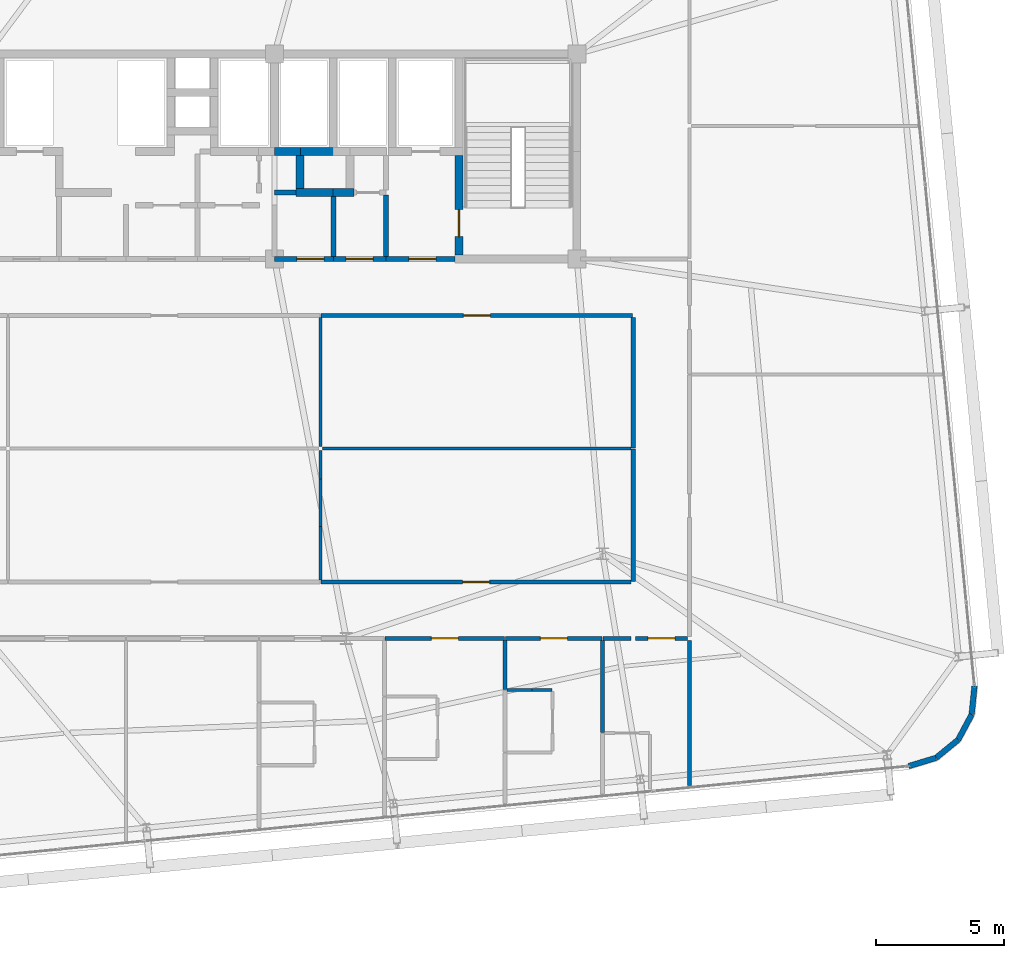
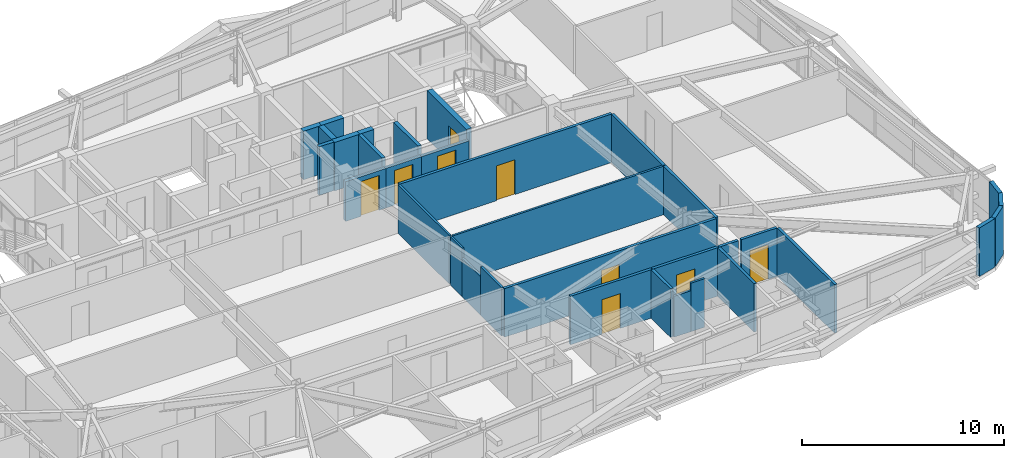
# One storey, part 49 of 54: 34 walls, 9 doors, 9 openings.
"""IFC4 building model written with IfcOpenShell, lengths in metres."""

from ifc_helpers import new_model, si_unit, direction, frame, frame_2d, origin, place, context, subcontext, project, spatial, rectangle, extrude, source, transform, mapped, material, layer, layer_set, type_object, element, fill, save


model = new_model("IFC4")

# Units and contexts
model_context = context("Model", 3, precision=1e-05, world=origin(), true_north=direction((0.0, 1.0)))
body_context = subcontext(model_context, "Body", "Model", "MODEL_VIEW")
ifc_project = project(units=[si_unit("LENGTHUNIT", "METRE"), si_unit("AREAUNIT", "SQUARE_METRE"), si_unit("VOLUMEUNIT", "CUBIC_METRE"), si_unit("PLANEANGLEUNIT", "RADIAN"), si_unit("MASSUNIT", "GRAM", prefix="KILO")], contexts=[model_context])

# Site, building, storey
site_placement = place(None, origin())
site = spatial("IfcSite", under=ifc_project, at=site_placement, CompositionType="ELEMENT")
building_placement = place(site_placement, origin())
building = spatial("IfcBuilding", under=site, at=building_placement, Name="Taldren Reach Tower", CompositionType="ELEMENT")
storey_placement = place(building_placement, frame((0.0, 0.0, 99.75)))
storey = spatial("IfcBuildingStorey", under=building, at=storey_placement, Name="L30", CompositionType="ELEMENT", Elevation=99.75)

# Walls
ifc_material_1 = material(Name="Pale Champagne Anodised Aluminium Cladding", Category="aluminium")
ifc_layer_1 = layer(ifc_material_1, 0.04, Name="Pale Champagne Anodised Aluminium Cladding", Category="aluminium")
ifc_material_2 = material(Name="Mineral Wool Acoustic Insulation", Category="insulation")
ifc_layer_2 = layer(ifc_material_2, 0.06, Name="Mineral Wool Acoustic Insulation", Category="insulation")
ifc_material_3 = material(Name="Steel Gr 350 (C350L0)", Category="steel")
ifc_layer_3 = layer(ifc_material_3, 0.12, Name="Steel Gr 350 (C350L0)", Category="steel")
ifc_layer_set_1 = layer_set([ifc_layer_1, ifc_layer_2, ifc_layer_3], Name="Pale Champagne Aluminium Cladding and Steel Gr 350 Stud Framing")
wall_type_1 = type_object("IfcWallType", Name="EW-CRN-220", PredefinedType="SOLIDWALL", material=ifc_layer_set_1)
shared_shape_1 = source(origin(), body_context, "Body", "SweptSolid", [
    extrude(rectangle(XDim=1.115966796875, YDim=0.219970703125, at=frame_2d((0.55810546875, 0.0))), origin(), (0.0, 0.0, 1.0), 2.929931640625),
])
for number, where, z_axis, x_axis, name in (
    (1, (65.01708984375, 4.537109375, 0.0), (0.0, 0.0, 1.0), (0.773342870285, 0.633988016432, 0.0), "Rounded-corner pale-metal facade wall L30-SE2"),
    (2, (66.406494140625, 6.228515625, 0.0), (0.0, 0.0, 1.0), (0.09844234778, 0.995142755671, 0.0), "Rounded-corner pale-metal facade wall L30-SE4"),
):
    element("IfcWall", number, at=place(storey_placement, frame(where, z_axis=z_axis, x_axis=x_axis)), inside=storey, type_object=wall_type_1, Name=name, PredefinedType="SOLIDWALL", context=body_context, shape_type="MappedRepresentation", body=[
        mapped(shared_shape_1, transform((0.0, 0.0, 0.0), scale=1.0)),
    ])
shared_shape_2 = source(origin(), body_context, "Body", "SweptSolid", [
    extrude(rectangle(XDim=1.11572265625, YDim=0.219970703125, at=frame_2d((0.557861328125, 0.0))), origin(), (0.0, 0.0, 1.0), 2.929931640625),
])
for number, where, z_axis, x_axis, name in (
    (3, (63.94921875, 4.213623046875, 0.0), (0.0, 0.0, 1.0), (0.957052003726, 0.289916301997, 0.0), "Rounded-corner pale-metal facade wall L30-SE1"),
    (4, (65.880126953125, 5.24462890625, 0.0), (0.0, 0.0, 1.0), (0.471723463201, 0.881746547635, 0.0), "Rounded-corner pale-metal facade wall L30-SE3"),
):
    element("IfcWall", number, at=place(storey_placement, frame(where, z_axis=z_axis, x_axis=x_axis)), inside=storey, type_object=wall_type_1, Name=name, PredefinedType="SOLIDWALL", context=body_context, shape_type="MappedRepresentation", body=[
        mapped(shared_shape_2, transform((0.0, 0.0, 0.0), scale=1.0)),
    ])

# Wall, opening, door
ifc_material_4 = material(Name="Fire-Rated Acoustic Plasterboard Stud Wall", Category="gypsum")
ifc_layer_4 = layer(ifc_material_4, 0.159912109375)
ifc_layer_set_2 = layer_set([ifc_layer_4], Name="Fire-Rated Acoustic Plasterboard Stud Wall")
wall_type_2 = type_object("IfcWallType", Name="IW-FIRE-160", PredefinedType="PARTITIONING", material=ifc_layer_set_2)
shared_shape_3 = source(origin(), body_context, "Body", "SweptSolid", [
    extrude(rectangle(XDim=2.0400390625, YDim=0.159912109375, at=frame_2d((1.02001953125, 0.0))), origin(), (0.0, 0.0, 1.0), 2.929931640625),
])
wall_1_placement = place(storey_placement, frame((55.320068359375, 9.199951171875, 0.0), z_axis=(0.0, 0.0, 1.0), x_axis=(-1.0, 0.0, 0.0)))
wall_1 = element("IfcWall", 5, at=wall_1_placement, inside=storey, type_object=wall_type_2, Name="Interior Partition Wall W-INT-L30-068", PredefinedType="PARTITIONING", context=body_context, shape_type="MappedRepresentation", body=[
    mapped(shared_shape_3, transform((0.0, 0.0, 0.0), scale=1.0)),
])
shared_shape_4 = source(origin(), body_context, "Body", "SweptSolid", [
    extrude(rectangle(XDim=1.050048828125, YDim=2.10009765625, at=frame_2d((0.52490234375, 1.050048828125))), frame((0.0, 0.08984375, 0.0), z_axis=(0.0, -1.0, 0.0), x_axis=(1.0, 0.0, 0.0)), (0.0, 0.0, 1.0), 0.179931640625),
])
opening_1_placement = place(wall_1_placement, frame((0.4951171875, 0.0, 0.0)))
opening_1 = element("IfcOpeningElement", 6, at=opening_1_placement, cuts=wall_1, Name="Opening DF-105", PredefinedType="OPENING", context=body_context, shape_type="MappedRepresentation", body=[
    mapped(shared_shape_4, transform((0.0, 0.0, 0.0), scale=1.0)),
])
ifc_material_5 = material(Name="Fire-Rated Care and Stair Exit Door")
door_type = type_object("IfcDoorType", Name="ID-FIRE-105", OperationType="NOTDEFINED", PredefinedType="DOOR", material=ifc_material_5)
shared_shape_5 = source(origin(), body_context, "Body", "SweptSolid", [
    extrude(rectangle(XDim=1.050048828125, YDim=2.10009765625, at=frame_2d((0.52490234375, 1.050048828125))), frame((0.0, 0.02490234375, 0.0), z_axis=(0.0, -1.0, 0.0), x_axis=(1.0, 0.0, 0.0)), (0.0, 0.0, 1.0), 0.050048828125),
])
door_1_placement = place(opening_1_placement, origin())
door_1 = element("IfcDoor", 7, at=door_1_placement, inside=storey, type_object=door_type, Name="Interior Door DR-L30-018", OperationType="SINGLE_SWING_LEFT", OverallHeight=2.10009765625, OverallWidth=1.050048828125, PredefinedType="DOOR", context=body_context, shape_type="MappedRepresentation", body=[
    mapped(shared_shape_5, transform((0.0, 0.0, 0.0), scale=1.0)),
])
fill(opening_1, door_1)

# Walls
shared_shape_6 = source(origin(), body_context, "Body", "SweptSolid", [
    extrude(rectangle(XDim=5.15966796875, YDim=0.159912109375, at=frame_2d((2.579833984375, 0.0))), origin(), (0.0, 0.0, 1.0), 2.929931640625),
])
wall_2_placement = place(storey_placement, frame((53.199951171875, 11.420166015625, 0.0), z_axis=(0.0, 0.0, 1.0), x_axis=(0.0, 1.0, 0.0)))
element("IfcWall", 8, at=wall_2_placement, inside=storey, type_object=wall_type_2, Name="Interior Partition Wall W-INT-L30-064", PredefinedType="PARTITIONING", context=body_context, shape_type="MappedRepresentation", body=[
    mapped(shared_shape_6, transform((0.0, 0.0, 0.0), scale=1.0)),
])
shared_shape_7 = source(origin(), body_context, "Body", "SweptSolid", [
    extrude(rectangle(XDim=5.099853515625, YDim=0.159912109375, at=frame_2d((2.5498046875, 0.0))), origin(), (0.0, 0.0, 1.0), 2.929931640625),
])
wall_3_placement = place(storey_placement, frame((53.199951171875, 16.6201171875, 0.0), z_axis=(0.0, 0.0, 1.0), x_axis=(0.0, 1.0, 0.0)))
element("IfcWall", 9, at=wall_3_placement, inside=storey, type_object=wall_type_2, Name="Interior Partition Wall W-INT-L30-066", PredefinedType="PARTITIONING", context=body_context, shape_type="MappedRepresentation", body=[
    mapped(shared_shape_7, transform((0.0, 0.0, 0.0), scale=1.0)),
])
shared_shape_8 = source(origin(), body_context, "Body", "SweptSolid", [
    extrude(rectangle(XDim=1.099853515625, YDim=0.159912109375, at=frame_2d((0.5498046875, 0.0))), origin(), (0.0, 0.0, 1.0), 2.929931640625),
])
wall_4_placement = place(storey_placement, frame((53.1201171875, 9.199951171875, 0.0), z_axis=(0.0, 0.0, 1.0), x_axis=(-1.0, 0.0, 0.0)))
element("IfcWall", 10, at=wall_4_placement, inside=storey, type_object=wall_type_2, Name="Interior Partition Wall W-INT-L30-089", PredefinedType="PARTITIONING", context=body_context, shape_type="MappedRepresentation", body=[
    mapped(shared_shape_8, transform((0.0, 0.0, 0.0), scale=1.0)),
])
ifc_material_6 = material(Name="Insulated Residential Stud Partition", Category="gypsum")
ifc_layer_5 = layer(ifc_material_6, 0.1201171875)
ifc_layer_set_3 = layer_set([ifc_layer_5], Name="Insulated Residential Stud Partition")
wall_type_3 = type_object("IfcWallType", Name="IW-PART-120", PredefinedType="PARTITIONING", material=ifc_layer_set_3)
shared_shape_9 = source(origin(), body_context, "Body", "SweptSolid", [
    extrude(rectangle(XDim=5.0400390625, YDim=0.1201171875, at=frame_2d((2.52001953125, 0.0))), origin(), (0.0, 0.0, 1.0), 2.929931640625),
])
wall_5_placement = place(storey_placement, frame((41.0, 21.719970703125, 0.0), z_axis=(0.0, 0.0, 1.0), x_axis=(0.0, -1.0, 0.0)))
element("IfcWall", 11, at=wall_5_placement, inside=storey, type_object=wall_type_3, Name="Interior Partition Wall W-INT-L30-095", PredefinedType="PARTITIONING", context=body_context, shape_type="MappedRepresentation", body=[
    mapped(shared_shape_9, transform((0.0, 0.0, 0.0), scale=1.0)),
])
ifc_material_7 = material(Name="Concrete S50 (50 MPa)", Category="concrete")
ifc_layer_6 = layer(ifc_material_7, 0.199951171875)
ifc_layer_set_4 = layer_set([ifc_layer_6], Name="Concrete S50 (50 MPa)")
wall_type_4 = type_object("IfcWallType", Name="IW-CORE-200", PredefinedType="SOLIDWALL", material=ifc_layer_set_4)
shared_shape_10 = source(origin(), body_context, "Body", "SweptSolid", [
    extrude(rectangle(XDim=2.39990234375, YDim=0.199951171875, at=frame_2d((1.199951171875, 0.0))), origin(), (0.0, 0.0, 1.0), 2.929931640625),
])
wall_6_placement = place(storey_placement, frame((43.550048828125, 26.5, 0.0), z_axis=(0.0, 0.0, 1.0), x_axis=(0.0, -1.0, 0.0)))
element("IfcWall", 12, at=wall_6_placement, inside=storey, type_object=wall_type_4, Name="Rear Core Shear Wall W-INT-L30-013", PredefinedType="SOLIDWALL", context=body_context, shape_type="MappedRepresentation", body=[
    mapped(shared_shape_10, transform((0.0, 0.0, 0.0), scale=1.0)),
])

# Wall, opening, door
shared_shape_11 = source(origin(), body_context, "Body", "SweptSolid", [
    extrude(rectangle(XDim=2.300048828125, YDim=0.199951171875, at=frame_2d((1.14990234375, 0.0))), origin(), (0.0, 0.0, 1.0), 2.39697265625),
])
wall_7_placement = place(storey_placement, frame((41.5, 24.0, 0.0), z_axis=(0.0, 0.0, 1.0), x_axis=(-1.0, 0.0, 0.0)))
wall_7 = element("IfcWall", 13, at=wall_7_placement, inside=storey, type_object=wall_type_4, Name="Rear Core Shear Wall W-INT-L30-057", PredefinedType="SOLIDWALL", context=body_context, shape_type="MappedRepresentation", body=[
    mapped(shared_shape_11, transform((0.0, 0.0, 0.0), scale=1.0)),
])
shared_shape_12 = source(origin(), body_context, "Body", "SweptSolid", [
    extrude(rectangle(XDim=1.050048828125, YDim=2.10009765625, at=frame_2d((0.52490234375, 1.050048828125))), frame((0.0, 0.10986328125, 0.0), z_axis=(0.0, -1.0, 0.0), x_axis=(1.0, 0.0, 0.0)), (0.0, 0.0, 1.0), 0.219970703125),
])
opening_2_placement = place(wall_7_placement, frame((0.375, 0.0, 0.0)))
opening_2 = element("IfcOpeningElement", 14, at=opening_2_placement, cuts=wall_7, Name="Opening DF-105", PredefinedType="OPENING", context=body_context, shape_type="MappedRepresentation", body=[
    mapped(shared_shape_12, transform((0.0, 0.0, 0.0), scale=1.0)),
])
door_2_placement = place(opening_2_placement, frame((1.050048828125, 0.0, 0.0), z_axis=(0.0, 0.0, 1.0), x_axis=(-1.0, 0.0, 0.0)))
door_2 = element("IfcDoor", 15, at=door_2_placement, inside=storey, type_object=door_type, Name="Interior Door DR-L30-011", OperationType="SINGLE_SWING_RIGHT", OverallHeight=2.10009765625, OverallWidth=1.050048828125, PredefinedType="DOOR", context=body_context, shape_type="MappedRepresentation", body=[
    mapped(shared_shape_5, transform((0.0, 0.0, 0.0), scale=1.0)),
])
fill(opening_2, door_2)

shared_shape_13 = source(origin(), body_context, "Body", "SweptSolid", [
    extrude(rectangle(XDim=2.050048828125, YDim=0.199951171875, at=frame_2d((1.02490234375, 0.0))), origin(), (0.0, 0.0, 1.0), 2.39697265625),
])
wall_8_placement = place(storey_placement, frame((43.550048828125, 24.0, 0.0), z_axis=(0.0, 0.0, 1.0), x_axis=(-1.0, 0.0, 0.0)))
wall_8 = element("IfcWall", 16, at=wall_8_placement, inside=storey, type_object=wall_type_4, Name="Rear Core Shear Wall W-INT-L30-059", PredefinedType="SOLIDWALL", context=body_context, shape_type="MappedRepresentation", body=[
    mapped(shared_shape_13, transform((0.0, 0.0, 0.0), scale=1.0)),
])
opening_3_placement = place(wall_8_placement, frame((0.5, 0.0, 0.0)))
opening_3 = element("IfcOpeningElement", 17, at=opening_3_placement, cuts=wall_8, Name="Opening DF-105", PredefinedType="OPENING", context=body_context, shape_type="MappedRepresentation", body=[
    mapped(shared_shape_12, transform((0.0, 0.0, 0.0), scale=1.0)),
])
door_3_placement = place(opening_3_placement, frame((1.050048828125, 0.0, 0.0), z_axis=(0.0, 0.0, 1.0), x_axis=(-1.0, 0.0, 0.0)))
door_3 = element("IfcDoor", 18, at=door_3_placement, inside=storey, type_object=door_type, Name="Interior Door DR-L30-013", OperationType="SINGLE_SWING_LEFT", OverallHeight=2.10009765625, OverallWidth=1.050048828125, PredefinedType="DOOR", context=body_context, shape_type="MappedRepresentation", body=[
    mapped(shared_shape_5, transform((0.0, 0.0, 0.0), scale=1.0)),
])
fill(opening_3, door_3)

shared_shape_14 = source(origin(), body_context, "Body", "SweptSolid", [
    extrude(rectangle(XDim=12.159423828125, YDim=0.159912109375, at=frame_2d((6.07958984375, 0.0))), origin(), (0.0, 0.0, 1.0), 2.929931640625),
])
wall_9_placement = place(storey_placement, frame((53.1796875, 21.800048828125, 0.0), z_axis=(0.0, 0.0, 1.0), x_axis=(-1.0, 0.0, 0.0)))
wall_9 = element("IfcWall", 19, at=wall_9_placement, inside=storey, type_object=wall_type_2, Name="Interior Partition Wall W-INT-L30-065", PredefinedType="PARTITIONING", context=body_context, shape_type="MappedRepresentation", body=[
    mapped(shared_shape_14, transform((0.0, 0.0, 0.0), scale=1.0)),
])
opening_4_placement = place(wall_9_placement, frame((5.5546875, 0.0, 0.0)))
opening_4 = element("IfcOpeningElement", 20, at=opening_4_placement, cuts=wall_9, Name="Opening DF-105", PredefinedType="OPENING", context=body_context, shape_type="MappedRepresentation", body=[
    mapped(shared_shape_4, transform((0.0, 0.0, 0.0), scale=1.0)),
])
door_4_placement = place(opening_4_placement, origin())
door_4 = element("IfcDoor", 21, at=door_4_placement, inside=storey, type_object=door_type, Name="Interior Door DR-L30-016", OperationType="SINGLE_SWING_LEFT", OverallHeight=2.10009765625, OverallWidth=1.050048828125, PredefinedType="DOOR", context=body_context, shape_type="MappedRepresentation", body=[
    mapped(shared_shape_5, transform((0.0, 0.0, 0.0), scale=1.0)),
])
fill(opening_4, door_4)

shared_shape_15 = source(origin(), body_context, "Body", "SweptSolid", [
    extrude(rectangle(XDim=12.099853515625, YDim=0.159912109375, at=frame_2d((6.0498046875, 0.0))), origin(), (0.0, 0.0, 1.0), 2.929931640625),
])
wall_10_placement = place(storey_placement, frame((41.020263671875, 11.39990234375, 0.0), z_axis=(0.0, 0.0, 1.0), x_axis=(1.0, 0.0, 0.0)))
wall_10 = element("IfcWall", 22, at=wall_10_placement, inside=storey, type_object=wall_type_2, Name="Interior Partition Wall W-INT-L30-080", PredefinedType="PARTITIONING", context=body_context, shape_type="MappedRepresentation", body=[
    mapped(shared_shape_15, transform((0.0, 0.0, 0.0), scale=1.0)),
])
opening_5_placement = place(wall_10_placement, frame((5.52490234375, 0.0, 0.0)))
opening_5 = element("IfcOpeningElement", 23, at=opening_5_placement, cuts=wall_10, Name="Opening DF-105", PredefinedType="OPENING", context=body_context, shape_type="MappedRepresentation", body=[
    mapped(shared_shape_4, transform((0.0, 0.0, 0.0), scale=1.0)),
])
door_5_placement = place(opening_5_placement, origin())
door_5 = element("IfcDoor", 24, at=door_5_placement, inside=storey, type_object=door_type, Name="Interior Door DR-L30-027", OperationType="SINGLE_SWING_RIGHT", OverallHeight=2.10009765625, OverallWidth=1.050048828125, PredefinedType="DOOR", context=body_context, shape_type="MappedRepresentation", body=[
    mapped(shared_shape_5, transform((0.0, 0.0, 0.0), scale=1.0)),
])
fill(opening_5, door_5)

# Walls
shared_shape_16 = source(origin(), body_context, "Body", "SweptSolid", [
    extrude(rectangle(XDim=1.10400390625, YDim=0.1201171875, at=frame_2d((0.552001953125, 0.0))), origin(), (0.0, 0.0, 1.0), 2.929931640625),
])
wall_11_placement = place(storey_placement, frame((41.0, 16.52001953125, 0.0), z_axis=(0.0, 0.0, 1.0), x_axis=(0.0, -1.0, 0.0)))
element("IfcWall", 25, at=wall_11_placement, inside=storey, type_object=wall_type_3, Name="Interior Partition Wall W-INT-L30-094", PredefinedType="PARTITIONING", context=body_context, shape_type="MappedRepresentation", body=[
    mapped(shared_shape_16, transform((0.0, 0.0, 0.0), scale=1.0)),
])
shared_shape_17 = source(origin(), body_context, "Body", "SweptSolid", [
    extrude(rectangle(XDim=1.860595703125, YDim=0.1201171875, at=frame_2d((0.93017578125, 0.0))), origin(), (0.0, 0.0, 1.0), 2.327880859375),
])
wall_12_placement = place(storey_placement, frame((41.0, 15.416015625, 0.0), z_axis=(0.0, 0.0, 1.0), x_axis=(0.0, -1.0, 0.0)))
element("IfcWall", 26, at=wall_12_placement, inside=storey, type_object=wall_type_3, Name="Interior Partition Wall W-INT-L30-094 part 2", PredefinedType="PARTITIONING", context=body_context, shape_type="MappedRepresentation", body=[
    mapped(shared_shape_17, transform((0.0, 0.0, 0.0), scale=1.0)),
])
shared_shape_18 = source(origin(), body_context, "Body", "SweptSolid", [
    extrude(rectangle(XDim=2.075439453125, YDim=0.1201171875, at=frame_2d((1.03759765625, 0.0))), origin(), (0.0, 0.0, 1.0), 2.929931640625),
])
wall_13_placement = place(storey_placement, frame((41.0, 13.555419921875, 0.0), z_axis=(0.0, 0.0, 1.0), x_axis=(0.0, -1.0, 0.0)))
element("IfcWall", 27, at=wall_13_placement, inside=storey, type_object=wall_type_3, Name="Interior Partition Wall W-INT-L30-094 part 3", PredefinedType="PARTITIONING", context=body_context, shape_type="MappedRepresentation", body=[
    mapped(shared_shape_18, transform((0.0, 0.0, 0.0), scale=1.0)),
])
shared_shape_19 = source(origin(), body_context, "Body", "SweptSolid", [
    extrude(rectangle(XDim=12.0400390625, YDim=0.1201171875, at=frame_2d((6.02001953125, 0.0))), origin(), (0.0, 0.0, 1.0), 2.929931640625),
])
wall_14_placement = place(storey_placement, frame((41.080078125, 16.60009765625, 0.0), z_axis=(0.0, 0.0, 1.0), x_axis=(1.0, 0.0, 0.0)))
element("IfcWall", 28, at=wall_14_placement, inside=storey, type_object=wall_type_3, Name="Interior Partition Wall W-INT-L30-096", PredefinedType="PARTITIONING", context=body_context, shape_type="MappedRepresentation", body=[
    mapped(shared_shape_19, transform((0.0, 0.0, 0.0), scale=1.0)),
])

# Wall, opening, door
shared_shape_20 = source(origin(), body_context, "Body", "SweptSolid", [
    extrude(rectangle(XDim=3.759521484375, YDim=0.159912109375, at=frame_2d((1.8798828125, 0.0))), origin(), (0.0, 0.0, 1.0), 2.929931640625),
])
wall_15_placement = place(storey_placement, frame((51.979736328125, 9.199951171875, 0.0), z_axis=(0.0, 0.0, 1.0), x_axis=(-1.0, 0.0, 0.0)))
wall_15 = element("IfcWall", 29, at=wall_15_placement, inside=storey, type_object=wall_type_2, Name="Interior Partition Wall W-INT-L30-088", PredefinedType="PARTITIONING", context=body_context, shape_type="MappedRepresentation", body=[
    mapped(shared_shape_20, transform((0.0, 0.0, 0.0), scale=1.0)),
])
opening_6_placement = place(wall_15_placement, frame((1.354736328125, 0.0, 0.0)))
opening_6 = element("IfcOpeningElement", 30, at=opening_6_placement, cuts=wall_15, Name="Opening DF-105", PredefinedType="OPENING", context=body_context, shape_type="MappedRepresentation", body=[
    mapped(shared_shape_4, transform((0.0, 0.0, 0.0), scale=1.0)),
])
door_6_placement = place(opening_6_placement, origin())
door_6 = element("IfcDoor", 31, at=door_6_placement, inside=storey, type_object=door_type, Name="Interior Door DR-L30-034", OperationType="SINGLE_SWING_LEFT", OverallHeight=2.10009765625, OverallWidth=1.050048828125, PredefinedType="DOOR", context=body_context, shape_type="MappedRepresentation", body=[
    mapped(shared_shape_5, transform((0.0, 0.0, 0.0), scale=1.0)),
])
fill(opening_6, door_6)

ifc_material_8 = material(Name="Concrete S65 (65 MPa)", Category="concrete")
ifc_layer_7 = layer(ifc_material_8, 0.300048828125)
ifc_layer_set_5 = layer_set([ifc_layer_7], Name="Concrete S65 (65 MPa)")
wall_type_5 = type_object("IfcWallType", Name="IW-CORE-300", PredefinedType="SHEAR", material=ifc_layer_set_5)
shared_shape_21 = source(origin(), body_context, "Body", "SweptSolid", [
    extrude(rectangle(XDim=3.900146484375, YDim=0.300048828125, at=frame_2d((1.9501953125, 0.0))), origin(), (0.0, 0.0, 1.0), 2.929931640625),
])
wall_16_placement = place(storey_placement, frame((46.39990234375, 28.050048828125, 0.0), z_axis=(0.0, 0.0, 1.0), x_axis=(0.0, -1.0, 0.0)))
wall_16 = element("IfcWall", 32, at=wall_16_placement, inside=storey, type_object=wall_type_5, Name="Rear Core Shear Wall W-INT-L30-009", PredefinedType="SHEAR", context=body_context, shape_type="MappedRepresentation", body=[
    mapped(shared_shape_21, transform((0.0, 0.0, 0.0), scale=1.0)),
])
shared_shape_22 = source(origin(), body_context, "Body", "SweptSolid", [
    extrude(rectangle(XDim=1.050048828125, YDim=2.10009765625, at=frame_2d((0.52490234375, 1.050048828125))), frame((0.0, 0.16015625, 0.0), z_axis=(0.0, -1.0, 0.0), x_axis=(1.0, 0.0, 0.0)), (0.0, 0.0, 1.0), 0.320068359375),
])
opening_7_placement = place(wall_16_placement, frame((2.125, 0.0, 0.0)))
opening_7 = element("IfcOpeningElement", 33, at=opening_7_placement, cuts=wall_16, Name="Opening DF-105", PredefinedType="OPENING", context=body_context, shape_type="MappedRepresentation", body=[
    mapped(shared_shape_22, transform((0.0, 0.0, 0.0), scale=1.0)),
])
door_7_placement = place(opening_7_placement, origin())
door_7 = element("IfcDoor", 34, at=door_7_placement, inside=storey, type_object=door_type, Name="Fire Exit Stair Door DR-L30-003", OperationType="SINGLE_SWING_RIGHT", OverallHeight=2.10009765625, OverallWidth=1.050048828125, PredefinedType="DOOR", context=body_context, shape_type="MappedRepresentation", body=[
    mapped(shared_shape_5, transform((0.0, 0.0, 0.0), scale=1.0)),
])
fill(opening_7, door_7)

shared_shape_23 = source(origin(), body_context, "Body", "SweptSolid", [
    extrude(rectangle(XDim=2.699951171875, YDim=0.199951171875, at=frame_2d((1.35009765625, 0.0))), origin(), (0.0, 0.0, 1.0), 2.39697265625),
])
wall_17_placement = place(storey_placement, frame((43.550048828125, 24.0, 0.0), z_axis=(0.0, 0.0, 1.0), x_axis=(1.0, 0.0, 0.0)))
wall_17 = element("IfcWall", 35, at=wall_17_placement, inside=storey, type_object=wall_type_4, Name="Rear Core Shear Wall W-INT-L30-015", PredefinedType="SOLIDWALL", context=body_context, shape_type="MappedRepresentation", body=[
    mapped(shared_shape_23, transform((0.0, 0.0, 0.0), scale=1.0)),
])
opening_8_placement = place(wall_17_placement, frame((0.89990234375, 0.0, 0.0)))
opening_8 = element("IfcOpeningElement", 36, at=opening_8_placement, cuts=wall_17, Name="Opening DF-105", PredefinedType="OPENING", context=body_context, shape_type="MappedRepresentation", body=[
    mapped(shared_shape_12, transform((0.0, 0.0, 0.0), scale=1.0)),
])
door_8_placement = place(opening_8_placement, origin())
door_8 = element("IfcDoor", 37, at=door_8_placement, inside=storey, type_object=door_type, Name="Interior Door DR-L30-004", OperationType="SINGLE_SWING_LEFT", OverallHeight=2.10009765625, OverallWidth=1.050048828125, PredefinedType="DOOR", context=body_context, shape_type="MappedRepresentation", body=[
    mapped(shared_shape_5, transform((0.0, 0.0, 0.0), scale=1.0)),
])
fill(opening_8, door_8)

# Walls
shared_shape_24 = source(origin(), body_context, "Body", "SweptSolid", [
    extrude(rectangle(XDim=1.300048828125, YDim=0.300048828125, at=frame_2d((0.64990234375, 0.0))), origin(), (0.0, 0.0, 1.0), 2.929931640625),
])
wall_18_placement = place(storey_placement, frame((40.199951171875, 28.050048828125, 0.0), z_axis=(0.0, 0.0, 1.0), x_axis=(0.0, -1.0, 0.0)))
element("IfcWall", 38, at=wall_18_placement, inside=storey, type_object=wall_type_5, Name="Rear Core Shear Wall W-INT-L30-027", PredefinedType="SHEAR", context=body_context, shape_type="MappedRepresentation", body=[
    mapped(shared_shape_24, transform((0.0, 0.0, 0.0), scale=1.0)),
])
shared_shape_25 = source(origin(), body_context, "Body", "SweptSolid", [
    extrude(rectangle(XDim=1.320068359375, YDim=0.300048828125, at=frame_2d((0.66015625, 0.0))), origin(), (0.0, 0.0, 1.0), 2.929931640625),
])
wall_19_placement = place(storey_placement, frame((41.52001953125, 28.199951171875, 0.0), z_axis=(0.0, 0.0, 1.0), x_axis=(-1.0, 0.0, 0.0)))
element("IfcWall", 39, at=wall_19_placement, inside=storey, type_object=wall_type_5, Name="Rear Core Shear Wall W-INT-L30-024", PredefinedType="SHEAR", context=body_context, shape_type="MappedRepresentation", body=[
    mapped(shared_shape_25, transform((0.0, 0.0, 0.0), scale=1.0)),
])
shared_shape_26 = source(origin(), body_context, "Body", "SweptSolid", [
    extrude(rectangle(XDim=1.469970703125, YDim=0.300048828125, at=frame_2d((0.73486328125, 0.0))), origin(), (0.0, 0.0, 1.0), 2.929931640625),
])
wall_20_placement = place(storey_placement, frame((40.050048828125, 26.60009765625, 0.0), z_axis=(0.0, 0.0, 1.0), x_axis=(1.0, 0.0, 0.0)))
element("IfcWall", 40, at=wall_20_placement, inside=storey, type_object=wall_type_5, Name="Rear Core Shear Wall W-INT-L30-026", PredefinedType="SHEAR", context=body_context, shape_type="MappedRepresentation", body=[
    mapped(shared_shape_26, transform((0.0, 0.0, 0.0), scale=1.0)),
])
shared_shape_27 = source(origin(), body_context, "Body", "SweptSolid", [
    extrude(rectangle(XDim=0.820068359375, YDim=0.300048828125, at=frame_2d((0.41015625, 0.0))), origin(), (0.0, 0.0, 1.0), 2.929931640625),
])
wall_21_placement = place(storey_placement, frame((41.47998046875, 26.60009765625, 0.0), z_axis=(0.0, 0.0, 1.0), x_axis=(1.0, 0.0, 0.0)))
element("IfcWall", 41, at=wall_21_placement, inside=storey, type_object=wall_type_5, Name="Rear Core Shear Wall W-INT-L30-028", PredefinedType="SHEAR", context=body_context, shape_type="MappedRepresentation", body=[
    mapped(shared_shape_27, transform((0.0, 0.0, 0.0), scale=1.0)),
])
shared_shape_28 = source(origin(), body_context, "Body", "SweptSolid", [
    extrude(rectangle(XDim=2.349853515625, YDim=0.199951171875, at=frame_2d((1.1748046875, 0.0))), origin(), (0.0, 0.0, 1.0), 2.929931640625),
])
wall_22_placement = place(storey_placement, frame((41.5, 26.449951171875, 0.0), z_axis=(0.0, 0.0, 1.0), x_axis=(0.0, -1.0, 0.0)))
element("IfcWall", 42, at=wall_22_placement, inside=storey, type_object=wall_type_4, Name="Rear Core Shear Wall W-INT-L30-056", PredefinedType="SOLIDWALL", context=body_context, shape_type="MappedRepresentation", body=[
    mapped(shared_shape_28, transform((0.0, 0.0, 0.0), scale=1.0)),
])
shared_shape_29 = source(origin(), body_context, "Body", "SweptSolid", [
    extrude(rectangle(XDim=1.02001953125, YDim=0.300048828125, at=frame_2d((0.510009765625, 0.0))), origin(), (0.0, 0.0, 1.0), 2.929931640625),
])
wall_23_placement = place(storey_placement, frame((39.199951171875, 28.199951171875, 0.0), z_axis=(0.0, 0.0, 1.0), x_axis=(1.0, 0.0, 0.0)))
element("IfcWall", 43, at=wall_23_placement, inside=storey, type_object=wall_type_5, Name="Rear Core Shear Wall W-INT-L30-042", PredefinedType="SHEAR", context=body_context, shape_type="MappedRepresentation", body=[
    mapped(shared_shape_29, transform((0.0, 0.0, 0.0), scale=1.0)),
])
shared_shape_30 = source(origin(), body_context, "Body", "SweptSolid", [
    extrude(rectangle(XDim=0.85009765625, YDim=0.199951171875, at=frame_2d((0.425048828125, 0.0))), origin(), (0.0, 0.0, 1.0), 2.929931640625),
])
wall_24_placement = place(storey_placement, frame((39.199951171875, 26.60009765625, 0.0), z_axis=(0.0, 0.0, 1.0), x_axis=(1.0, 0.0, 0.0)))
element("IfcWall", 44, at=wall_24_placement, inside=storey, type_object=wall_type_4, Name="Rear Core Shear Wall W-INT-L30-055", PredefinedType="SOLIDWALL", context=body_context, shape_type="MappedRepresentation", body=[
    mapped(shared_shape_30, transform((0.0, 0.0, 0.0), scale=1.0)),
])
shared_shape_31 = source(origin(), body_context, "Body", "SweptSolid", [
    extrude(rectangle(XDim=3.58740234375, YDim=0.159912109375, at=frame_2d((1.793701171875, 0.0))), origin(), (0.0, 0.0, 1.0), 2.929931640625),
])
wall_25_placement = place(storey_placement, frame((52.0, 9.117919921875, 0.0), z_axis=(0.0, 0.0, 1.0), x_axis=(0.0, -1.0, 0.0)))
element("IfcWall", 45, at=wall_25_placement, inside=storey, type_object=wall_type_2, Name="Interior Partition Wall W-INT-L30-125", PredefinedType="PARTITIONING", context=body_context, shape_type="MappedRepresentation", body=[
    mapped(shared_shape_31, transform((0.0, 0.0, 0.0), scale=1.0)),
])
shared_shape_32 = source(origin(), body_context, "Body", "SweptSolid", [
    extrude(rectangle(XDim=5.657958984375, YDim=0.159912109375, at=frame_2d((2.8291015625, 0.0))), origin(), (0.0, 0.0, 1.0), 2.929931640625),
])
wall_26_placement = place(storey_placement, frame((55.39990234375, 9.117919921875, 0.0), z_axis=(0.0, 0.0, 1.0), x_axis=(0.0, -1.0, 0.0)))
element("IfcWall", 46, at=wall_26_placement, inside=storey, type_object=wall_type_2, Name="Interior Partition Wall W-INT-L30-129", PredefinedType="PARTITIONING", context=body_context, shape_type="MappedRepresentation", body=[
    mapped(shared_shape_32, transform((0.0, 0.0, 0.0), scale=1.0)),
])

# Wall, opening, door
shared_shape_33 = source(origin(), body_context, "Body", "SweptSolid", [
    extrude(rectangle(XDim=4.659423828125, YDim=0.159912109375, at=frame_2d((2.32958984375, 0.0))), origin(), (0.0, 0.0, 1.0), 2.929931640625),
])
wall_27_placement = place(storey_placement, frame((48.1796875, 9.199951171875, 0.0), z_axis=(0.0, 0.0, 1.0), x_axis=(-1.0, 0.0, 0.0)))
wall_27 = element("IfcWall", 47, at=wall_27_placement, inside=storey, type_object=wall_type_2, Name="Interior Partition Wall W-INT-L30-087", PredefinedType="PARTITIONING", context=body_context, shape_type="MappedRepresentation", body=[
    mapped(shared_shape_33, transform((0.0, 0.0, 0.0), scale=1.0)),
])
opening_9_placement = place(wall_27_placement, frame((1.8046875, 0.0, 0.0)))
opening_9 = element("IfcOpeningElement", 48, at=opening_9_placement, cuts=wall_27, Name="Opening DF-105", PredefinedType="OPENING", context=body_context, shape_type="MappedRepresentation", body=[
    mapped(shared_shape_4, transform((0.0, 0.0, 0.0), scale=1.0)),
])
door_9_placement = place(opening_9_placement, origin())
door_9 = element("IfcDoor", 49, at=door_9_placement, inside=storey, type_object=door_type, Name="Interior Door DR-L30-033", OperationType="SINGLE_SWING_RIGHT", OverallHeight=2.10009765625, OverallWidth=1.050048828125, PredefinedType="DOOR", context=body_context, shape_type="MappedRepresentation", body=[
    mapped(shared_shape_5, transform((0.0, 0.0, 0.0), scale=1.0)),
])
fill(opening_9, door_9)

# Walls
shared_shape_34 = source(origin(), body_context, "Body", "SweptSolid", [
    extrude(rectangle(XDim=1.91015625, YDim=0.159912109375, at=frame_2d((0.955078125, 0.0))), origin(), (0.0, 0.0, 1.0), 2.929931640625),
])
wall_28_placement = place(storey_placement, frame((48.199951171875, 9.117919921875, 0.0), z_axis=(0.0, 0.0, 1.0), x_axis=(0.0, -1.0, 0.0)))
element("IfcWall", 50, at=wall_28_placement, inside=storey, type_object=wall_type_2, Name="Interior Partition Wall W-INT-L30-120", PredefinedType="PARTITIONING", context=body_context, shape_type="MappedRepresentation", body=[
    mapped(shared_shape_34, transform((0.0, 0.0, 0.0), scale=1.0)),
])
shared_shape_35 = source(origin(), body_context, "Body", "SweptSolid", [
    extrude(rectangle(XDim=0.7822265625, YDim=0.1201171875, at=frame_2d((0.39111328125, 0.0))), origin(), (0.0, 0.0, 1.0), 2.929931640625),
])
wall_29_placement = place(storey_placement, frame((50.02978515625, 7.187744140625, 0.0), z_axis=(0.0, 0.0, 1.0), x_axis=(-1.0, 0.0, 0.0)))
element("IfcWall", 51, at=wall_29_placement, inside=storey, type_object=wall_type_3, Name="Interior Partition Wall W-INT-L30-124", PredefinedType="PARTITIONING", context=body_context, shape_type="MappedRepresentation", body=[
    mapped(shared_shape_35, transform((0.0, 0.0, 0.0), scale=1.0)),
])
shared_shape_36 = source(origin(), body_context, "Body", "SweptSolid", [
    extrude(rectangle(XDim=0.967529296875, YDim=0.1201171875, at=frame_2d((0.48388671875, 0.0))), origin(), (0.0, 0.0, 1.0), 2.469970703125),
])
wall_30_placement = place(storey_placement, frame((49.24755859375, 7.187744140625, 0.0), z_axis=(0.0, 0.0, 1.0), x_axis=(-1.0, 0.0, 0.0)))
element("IfcWall", 52, at=wall_30_placement, inside=storey, type_object=wall_type_3, Name="Interior Partition Wall W-INT-L30-124 part 2", PredefinedType="PARTITIONING", context=body_context, shape_type="MappedRepresentation", body=[
    mapped(shared_shape_36, transform((0.0, 0.0, 0.0), scale=1.0)),
])

save(model, "model.ifc")
